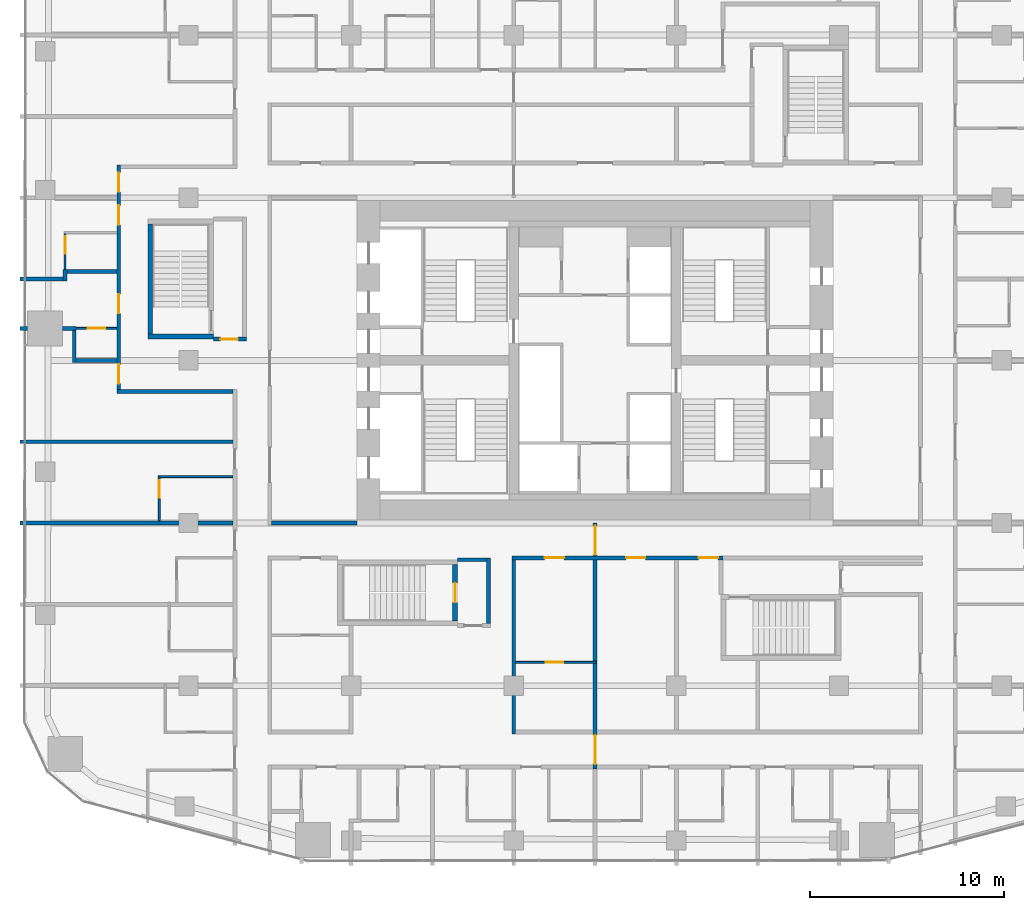
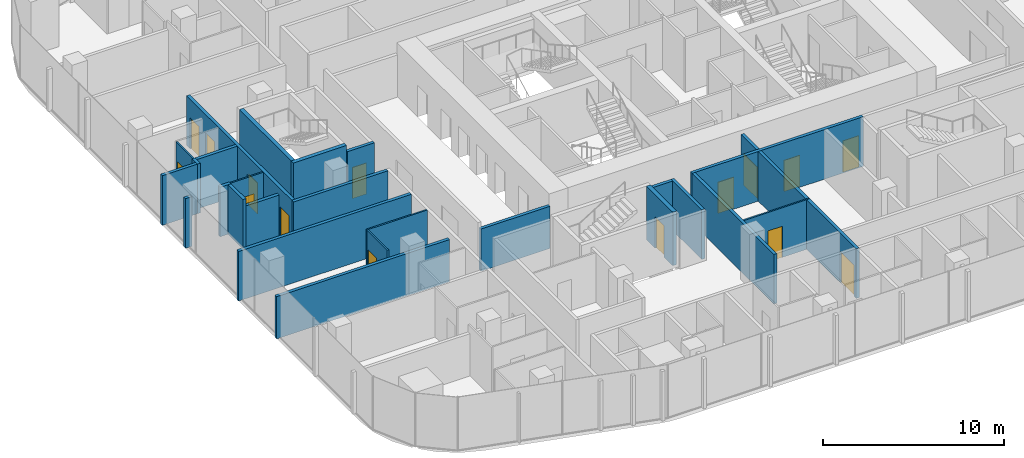
# One storey, part 17 of 26: 26 walls, 15 doors, 15 openings.
"""IFC4 building model written with IfcOpenShell, lengths in metres."""

from ifc_helpers import new_model, si_unit, direction, frame, frame_2d, origin, place, context, subcontext, project, spatial, rectangle, extrude, material, layer, layer_set, type_object, element, fill, save


model = new_model("IFC4")

# Units and contexts
model_context = context("Model", 3, precision=1e-05, world=origin(), true_north=direction((0.0, 1.0)))
body_context = subcontext(model_context, "Body", "Model", "MODEL_VIEW")
ifc_project = project(units=[si_unit("LENGTHUNIT", "METRE"), si_unit("AREAUNIT", "SQUARE_METRE"), si_unit("VOLUMEUNIT", "CUBIC_METRE"), si_unit("PLANEANGLEUNIT", "RADIAN"), si_unit("MASSUNIT", "GRAM", prefix="KILO")], contexts=[model_context])

# Site, building, storey
site_placement = place(None, origin())
site = spatial("IfcSite", under=ifc_project, at=site_placement, CompositionType="ELEMENT")
building_placement = place(site_placement, origin())
building = spatial("IfcBuilding", under=site, at=building_placement, Name="Marenta Gate Hotel Tower", CompositionType="ELEMENT")
storey_placement = place(building_placement, frame((0.0, 0.0, 43.699951171875)))
storey = spatial("IfcBuildingStorey", under=building, at=storey_placement, Name="L08", CompositionType="ELEMENT", Elevation=43.699951171875)

# Wall, openings, doors
ifc_material_1 = material(Name="Concrete blockwork", Category="masonry")
ifc_layer_1 = layer(ifc_material_1, 0.199951171875)
ifc_layer_set_1 = layer_set([ifc_layer_1], Name="Concrete blockwork")
wall_type_1 = type_object("IfcWallType", Name="Compartment wall 200 REI 180", PredefinedType="PARTITIONING", material=ifc_layer_set_1)
wall_1_placement = place(storey_placement, frame((0.0, -12.699951171875, 0.0), z_axis=(0.0, 0.0, 1.0), x_axis=(0.0, 1.0, 0.0)))
wall_1 = element("IfcWall", 1, at=wall_1_placement, inside=storey, type_object=wall_type_1, Name="L08-PTN-W070", PredefinedType="PARTITIONING", context=body_context, shape_type="SweptSolid", body=[
    extrude(rectangle(XDim=12.699951171875, YDim=0.199951171875, at=frame_2d((6.35009765625, 0.0))), origin(), (0.0, 0.0, 1.0), 3.340087890625),
])
opening_1_placement = place(wall_1_placement, frame((11.050048828125, 0.0, 0.0)))
opening_1 = element("IfcOpeningElement", 2, at=opening_1_placement, cuts=wall_1, Name="Opening G02-FD3", PredefinedType="OPENING", context=body_context, shape_type="SweptSolid", body=[
    extrude(rectangle(XDim=1.5, YDim=2.10009765625, at=frame_2d((0.75, 1.050048828125))), frame((0.0, 0.10009765625, 0.0), z_axis=(0.0, -1.0, 0.0), x_axis=(1.0, 0.0, 0.0)), (0.0, 0.0, 1.0), 0.199951171875),
])
opening_2_placement = place(wall_1_placement, frame((0.25, 0.0, 0.0)))
opening_2 = element("IfcOpeningElement", 3, at=opening_2_placement, cuts=wall_1, Name="Opening G02-FD4", PredefinedType="OPENING", context=body_context, shape_type="SweptSolid", body=[
    extrude(rectangle(XDim=1.5, YDim=2.10009765625, at=frame_2d((0.75, 1.050048828125))), frame((0.0, 0.10009765625, 0.0), z_axis=(0.0, -1.0, 0.0), x_axis=(1.0, 0.0, 0.0)), (0.0, 0.0, 1.0), 0.199951171875),
])
ifc_material_2 = material(Name="Hollow steel door set", Category="steel")
door_type_1 = type_object("IfcDoorType", Name="Compartment fire door 1500x2100 EI 60", OperationType="DOUBLE_DOOR_DOUBLE_SWING", PredefinedType="DOOR", material=ifc_material_2)
door_1_placement = place(opening_1_placement, origin())
door_1 = element("IfcDoor", 4, at=door_1_placement, inside=storey, type_object=door_type_1, Name="L08-PD-FD03", OperationType="DOUBLE_DOOR_DOUBLE_SWING", OverallHeight=2.10009765625, OverallWidth=1.5, PredefinedType="DOOR", context=body_context, shape_type="SweptSolid", body=[
    extrude(rectangle(XDim=1.5, YDim=2.10009765625, at=frame_2d((0.75, 1.050048828125))), frame((0.0, 0.02490234375, 0.0), z_axis=(0.0, -1.0, 0.0), x_axis=(1.0, 0.0, 0.0)), (0.0, 0.0, 1.0), 0.050048828125),
])
fill(opening_1, door_1)
door_2_placement = place(opening_2_placement, origin())
door_2 = element("IfcDoor", 5, at=door_2_placement, inside=storey, type_object=door_type_1, Name="L08-PD-FD04", OperationType="DOUBLE_DOOR_DOUBLE_SWING", OverallHeight=2.10009765625, OverallWidth=1.5, PredefinedType="DOOR", context=body_context, shape_type="SweptSolid", body=[
    extrude(rectangle(XDim=1.5, YDim=2.10009765625, at=frame_2d((0.75, 1.050048828125))), frame((0.0, 0.02490234375, 0.0), z_axis=(0.0, -1.0, 0.0), x_axis=(1.0, 0.0, 0.0)), (0.0, 0.0, 1.0), 0.050048828125),
])
fill(opening_2, door_2)

# Wall
ifc_material_3 = material(Name="Concrete blockwork", Category="masonry")
ifc_layer_2 = layer(ifc_material_3, 0.199951171875)
ifc_layer_set_2 = layer_set([ifc_layer_2], Name="Concrete blockwork")
wall_type_2 = type_object("IfcWallType", Name="Core boundary wall 200 REI 180", PredefinedType="PARTITIONING", material=ifc_layer_set_2)
wall_2_placement = place(storey_placement, frame((-16.699951171875, 0.0, 0.0), z_axis=(0.0, 0.0, 1.0), x_axis=(1.0, 0.0, 0.0)))
element("IfcWall", 6, at=wall_2_placement, inside=storey, type_object=wall_type_2, Name="L08-CP-EW-WS", PredefinedType="PARTITIONING", context=body_context, shape_type="SweptSolid", body=[
    extrude(rectangle(XDim=4.39990234375, YDim=0.199951171875, at=frame_2d((2.199951171875, 0.0))), origin(), (0.0, 0.0, 1.0), 2.840087890625),
])

# Wall, opening, door
ifc_material_4 = material(Name="Concrete C40", Category="concrete")
ifc_layer_3 = layer(ifc_material_4, 0.25)
ifc_layer_set_3 = layer_set([ifc_layer_3], Name="Concrete C40")
wall_type_3 = type_object("IfcWallType", Name="Remote stair enclosure wall 250 REI 180", PredefinedType="SHEAR", material=ifc_layer_set_3)
wall_3_placement = place(storey_placement, frame((-7.22509765625, -5.050048828125, 0.10009765625), z_axis=(0.0, 0.0, 1.0), x_axis=(0.0, 1.0, 0.0)))
wall_3 = element("IfcWall", 7, at=wall_3_placement, inside=storey, type_object=wall_type_3, Name="L08-RS-Z1-2-W4", PredefinedType="SHEAR", context=body_context, shape_type="SweptSolid", body=[
    extrude(rectangle(XDim=2.900146484375, YDim=0.25, at=frame_2d((1.4501953125, 0.0))), origin(), (0.0, 0.0, 1.0), 3.599853515625),
])
opening_3_placement = place(wall_3_placement, frame((0.949951171875, 0.0, 0.0)))
opening_3 = element("IfcOpeningElement", 8, at=opening_3_placement, cuts=wall_3, Name="Opening VD", PredefinedType="OPENING", context=body_context, shape_type="SweptSolid", body=[
    extrude(rectangle(XDim=1.0, YDim=2.10009765625, at=frame_2d((0.5, 1.050048828125))), frame((0.0, 0.125, 0.0), z_axis=(0.0, -1.0, 0.0), x_axis=(1.0, 0.0, 0.0)), (0.0, 0.0, 1.0), 0.25),
])
ifc_material_5 = material(Name="Steel", Category="steel")
door_type_2 = type_object("IfcDoorType", Name="Stair vestibule door 1000x2100 FD60", OperationType="SINGLE_SWING_LEFT", PredefinedType="DOOR", material=ifc_material_5)
door_3_placement = place(opening_3_placement, origin())
door_3 = element("IfcDoor", 9, at=door_3_placement, inside=storey, type_object=door_type_2, Name="VD", OperationType="SINGLE_SWING_LEFT", OverallHeight=2.10009765625, OverallWidth=1.0, PredefinedType="DOOR", context=body_context, shape_type="SweptSolid", body=[
    extrude(rectangle(XDim=1.0, YDim=2.10009765625, at=frame_2d((0.5, 1.050048828125))), frame((0.0, 0.02490234375, 0.0), z_axis=(0.0, -1.0, 0.0), x_axis=(1.0, 0.0, 0.0)), (0.0, 0.0, 1.0), 0.050048828125),
])
fill(opening_3, door_3)

# Walls
wall_4_placement = place(storey_placement, frame((-23.10009765625, 9.625, 0.10009765625), z_axis=(0.0, 0.0, 1.0), x_axis=(1.0, 0.0, 0.0)))
element("IfcWall", 10, at=wall_4_placement, inside=storey, type_object=wall_type_3, Name="L08-RS-Z1-3-W1", PredefinedType="SHEAR", context=body_context, shape_type="SweptSolid", body=[
    extrude(rectangle(XDim=3.400146484375, YDim=0.25, at=frame_2d((1.7001953125, 0.0))), origin(), (0.0, 0.0, 1.0), 3.599853515625),
])
wall_5_placement = place(storey_placement, frame((-22.97509765625, 9.75, 0.10009765625), z_axis=(0.0, 0.0, 1.0), x_axis=(0.0, 1.0, 0.0)))
element("IfcWall", 11, at=wall_5_placement, inside=storey, type_object=wall_type_3, Name="L08-RS-Z1-3-W3", PredefinedType="SHEAR", context=body_context, shape_type="SweptSolid", body=[
    extrude(rectangle(XDim=5.699951171875, YDim=0.25, at=frame_2d((2.85009765625, 0.0))), origin(), (0.0, 0.0, 1.0), 3.599853515625),
])

# Wall, openings, doors
ifc_material_6 = material(Name="Concrete blockwork", Category="masonry")
ifc_layer_4 = layer(ifc_material_6, 0.199951171875)
ifc_layer_set_4 = layer_set([ifc_layer_4], Name="Concrete blockwork")
wall_type_4 = type_object("IfcWallType", Name="Room corridor wall 200 EI 120", PredefinedType="PARTITIONING", material=ifc_layer_set_4)
wall_6_placement = place(storey_placement, frame((-4.300048828125, -1.800048828125, 0.0), z_axis=(0.0, 0.0, 1.0), x_axis=(1.0, 0.0, 0.0)))
wall_6 = element("IfcWall", 12, at=wall_6_placement, inside=storey, type_object=wall_type_4, Name="L08-PTN-W067", PredefinedType="PARTITIONING", context=body_context, shape_type="SweptSolid", body=[
    extrude(rectangle(XDim=10.900146484375, YDim=0.199951171875, at=frame_2d((5.4501953125, 0.0))), origin(), (0.0, 0.0, 1.0), 3.340087890625),
])
opening_4_placement = place(wall_6_placement, frame((1.699951171875, 0.0, 0.0)))
opening_4 = element("IfcOpeningElement", 13, at=opening_4_placement, cuts=wall_6, Name="Opening G02-08", PredefinedType="OPENING", context=body_context, shape_type="SweptSolid", body=[
    extrude(rectangle(XDim=1.0, YDim=2.10009765625, at=frame_2d((0.5, 1.050048828125))), frame((0.0, 0.10009765625, 0.0), z_axis=(0.0, -1.0, 0.0), x_axis=(1.0, 0.0, 0.0)), (0.0, 0.0, 1.0), 0.199951171875),
])
opening_5_placement = place(wall_6_placement, frame((5.89990234375, 0.0, 0.0)))
opening_5 = element("IfcOpeningElement", 14, at=opening_5_placement, cuts=wall_6, Name="Opening G02-10", PredefinedType="OPENING", context=body_context, shape_type="SweptSolid", body=[
    extrude(rectangle(XDim=1.0, YDim=2.10009765625, at=frame_2d((0.5, 1.050048828125))), frame((0.0, 0.10009765625, 0.0), z_axis=(0.0, -1.0, 0.0), x_axis=(1.0, 0.0, 0.0)), (0.0, 0.0, 1.0), 0.199951171875),
])
opening_6_placement = place(wall_6_placement, frame((9.64990234375, 0.0, 0.0)))
opening_6 = element("IfcOpeningElement", 15, at=opening_6_placement, cuts=wall_6, Name="Opening G02-11", PredefinedType="OPENING", context=body_context, shape_type="SweptSolid", body=[
    extrude(rectangle(XDim=1.0, YDim=2.10009765625, at=frame_2d((0.5, 1.050048828125))), frame((0.0, 0.10009765625, 0.0), z_axis=(0.0, -1.0, 0.0), x_axis=(1.0, 0.0, 0.0)), (0.0, 0.0, 1.0), 0.199951171875),
])
ifc_material_7 = material(Name="Timber door leaf", Category="wood")
door_type_3 = type_object("IfcDoorType", Name="Room amenity door 1000x2100 EI 60", OperationType="NOTDEFINED", PredefinedType="DOOR", material=ifc_material_7)
door_4_placement = place(opening_5_placement, origin())
door_4 = element("IfcDoor", 16, at=door_4_placement, inside=storey, type_object=door_type_3, Name="L08-PD-D010", OperationType="SINGLE_SWING_RIGHT", OverallHeight=2.10009765625, OverallWidth=1.0, PredefinedType="DOOR", context=body_context, shape_type="SweptSolid", body=[
    extrude(rectangle(XDim=1.0, YDim=2.10009765625, at=frame_2d((0.5, 1.050048828125))), frame((0.0, 0.02490234375, 0.0), z_axis=(0.0, -1.0, 0.0), x_axis=(1.0, 0.0, 0.0)), (0.0, 0.0, 1.0), 0.050048828125),
])
fill(opening_5, door_4)
door_5_placement = place(opening_6_placement, origin())
door_5 = element("IfcDoor", 17, at=door_5_placement, inside=storey, type_object=door_type_3, Name="L08-PD-D011", OperationType="SINGLE_SWING_LEFT", OverallHeight=2.10009765625, OverallWidth=1.0, PredefinedType="DOOR", context=body_context, shape_type="SweptSolid", body=[
    extrude(rectangle(XDim=1.0, YDim=2.10009765625, at=frame_2d((0.5, 1.050048828125))), frame((0.0, 0.02490234375, 0.0), z_axis=(0.0, -1.0, 0.0), x_axis=(1.0, 0.0, 0.0)), (0.0, 0.0, 1.0), 0.050048828125),
])
fill(opening_6, door_5)
ifc_material_8 = material(Name="Hollow steel door set", Category="steel")
door_type_4 = type_object("IfcDoorType", Name="Room service door 1000x2100 EI 60", OperationType="NOTDEFINED", PredefinedType="DOOR", material=ifc_material_8)
door_6_placement = place(opening_4_placement, origin())
door_6 = element("IfcDoor", 18, at=door_6_placement, inside=storey, type_object=door_type_4, Name="L08-PD-D008", OperationType="SINGLE_SWING_RIGHT", OverallHeight=2.10009765625, OverallWidth=1.0, PredefinedType="DOOR", context=body_context, shape_type="SweptSolid", body=[
    extrude(rectangle(XDim=1.0, YDim=2.10009765625, at=frame_2d((0.5, 1.050048828125))), frame((0.0, 0.02490234375, 0.0), z_axis=(0.0, -1.0, 0.0), x_axis=(1.0, 0.0, 0.0)), (0.0, 0.0, 1.0), 0.050048828125),
])
fill(opening_4, door_6)

# Walls
wall_7_placement = place(storey_placement, frame((-4.199951171875, -10.89990234375, 0.0), z_axis=(0.0, 0.0, 1.0), x_axis=(0.0, 1.0, 0.0)))
element("IfcWall", 19, at=wall_7_placement, inside=storey, type_object=wall_type_4, Name="L08-PTN-W080", PredefinedType="PARTITIONING", context=body_context, shape_type="SweptSolid", body=[
    extrude(rectangle(XDim=9.0, YDim=0.199951171875, at=frame_2d((4.5, 0.0))), origin(), (0.0, 0.0, 1.0), 3.340087890625),
])
ifc_material_9 = material(Name="Gypsum board on steel stud", Category="steel")
ifc_layer_5 = layer(ifc_material_9, 0.199951171875)
ifc_layer_set_5 = layer_set([ifc_layer_5], Name="Gypsum board on steel stud")
wall_type_5 = type_object("IfcWallType", Name="Room corridor wall 200 EI 60", PredefinedType="PARTITIONING", material=ifc_layer_set_5)
wall_8_placement = place(storey_placement, frame((-24.699951171875, 6.800048828125, 0.0), z_axis=(0.0, 0.0, 1.0), x_axis=(1.0, 0.0, 0.0)))
element("IfcWall", 20, at=wall_8_placement, inside=storey, type_object=wall_type_5, Name="L08-PTN-W085", PredefinedType="PARTITIONING", context=body_context, shape_type="SweptSolid", body=[
    extrude(rectangle(XDim=6.0, YDim=0.199951171875, at=frame_2d((3.0, 0.0))), origin(), (0.0, 0.0, 1.0), 3.340087890625),
])

# Wall, openings, doors
wall_9_placement = place(storey_placement, frame((-24.60009765625, 6.89990234375, 0.0), z_axis=(0.0, 0.0, 1.0), x_axis=(0.0, 1.0, 0.0)))
wall_9 = element("IfcWall", 21, at=wall_9_placement, inside=storey, type_object=wall_type_5, Name="L08-PTN-W139", PredefinedType="PARTITIONING", context=body_context, shape_type="SweptSolid", body=[
    extrude(rectangle(XDim=11.60009765625, YDim=0.199951171875, at=frame_2d((5.800048828125, 0.0))), origin(), (0.0, 0.0, 1.0), 3.340087890625),
])
opening_7_placement = place(wall_9_placement, frame((8.5, 0.0, 0.0)))
opening_7 = element("IfcOpeningElement", 22, at=opening_7_placement, cuts=wall_9, Name="Opening G02-61", PredefinedType="OPENING", context=body_context, shape_type="SweptSolid", body=[
    extrude(rectangle(XDim=1.0, YDim=2.10009765625, at=frame_2d((0.5, 1.050048828125))), frame((0.0, 0.10009765625, 0.0), z_axis=(0.0, -1.0, 0.0), x_axis=(1.0, 0.0, 0.0)), (0.0, 0.0, 1.0), 0.199951171875),
])
opening_8_placement = place(wall_9_placement, frame((10.199951171875, 0.0, 0.0)))
opening_8 = element("IfcOpeningElement", 23, at=opening_8_placement, cuts=wall_9, Name="Opening G02-74", PredefinedType="OPENING", context=body_context, shape_type="SweptSolid", body=[
    extrude(rectangle(XDim=1.0, YDim=2.10009765625, at=frame_2d((0.5, 1.050048828125))), frame((0.0, 0.10009765625, 0.0), z_axis=(0.0, -1.0, 0.0), x_axis=(1.0, 0.0, 0.0)), (0.0, 0.0, 1.0), 0.199951171875),
])
opening_9_placement = place(wall_9_placement, frame((0.300048828125, 0.0, 0.0)))
opening_9 = element("IfcOpeningElement", 24, at=opening_9_placement, cuts=wall_9, Name="Opening G02-75", PredefinedType="OPENING", context=body_context, shape_type="SweptSolid", body=[
    extrude(rectangle(XDim=1.0, YDim=2.10009765625, at=frame_2d((0.5, 1.050048828125))), frame((0.0, 0.10009765625, 0.0), z_axis=(0.0, -1.0, 0.0), x_axis=(1.0, 0.0, 0.0)), (0.0, 0.0, 1.0), 0.199951171875),
])
opening_10_placement = place(wall_9_placement, frame((3.925048828125, 0.0, 0.0)))
opening_10 = element("IfcOpeningElement", 25, at=opening_10_placement, cuts=wall_9, Name="Opening G02-82", PredefinedType="OPENING", context=body_context, shape_type="SweptSolid", body=[
    extrude(rectangle(XDim=1.0, YDim=2.10009765625, at=frame_2d((0.5, 1.050048828125))), frame((0.0, 0.10009765625, 0.0), z_axis=(0.0, -1.0, 0.0), x_axis=(1.0, 0.0, 0.0)), (0.0, 0.0, 1.0), 0.199951171875),
])
ifc_material_10 = material(Name="Timber door leaf", Category="wood")
door_type_5 = type_object("IfcDoorType", Name="Guest room door 1000x2100 EI 30", OperationType="NOTDEFINED", PredefinedType="DOOR", material=ifc_material_10)
door_7_placement = place(opening_7_placement, origin())
door_7 = element("IfcDoor", 26, at=door_7_placement, inside=storey, type_object=door_type_5, Name="L08-PD-D061", OperationType="SINGLE_SWING_RIGHT", OverallHeight=2.10009765625, OverallWidth=1.0, PredefinedType="DOOR", context=body_context, shape_type="SweptSolid", body=[
    extrude(rectangle(XDim=1.0, YDim=2.10009765625, at=frame_2d((0.5, 1.050048828125))), frame((0.0, 0.02490234375, 0.0), z_axis=(0.0, -1.0, 0.0), x_axis=(1.0, 0.0, 0.0)), (0.0, 0.0, 1.0), 0.050048828125),
])
fill(opening_7, door_7)
door_8_placement = place(opening_10_placement, origin())
door_8 = element("IfcDoor", 27, at=door_8_placement, inside=storey, type_object=door_type_5, Name="L08-PD-D082", OperationType="SINGLE_SWING_LEFT", OverallHeight=2.10009765625, OverallWidth=1.0, PredefinedType="DOOR", context=body_context, shape_type="SweptSolid", body=[
    extrude(rectangle(XDim=1.0, YDim=2.10009765625, at=frame_2d((0.5, 1.050048828125))), frame((0.0, 0.02490234375, 0.0), z_axis=(0.0, -1.0, 0.0), x_axis=(1.0, 0.0, 0.0)), (0.0, 0.0, 1.0), 0.050048828125),
])
fill(opening_10, door_8)
ifc_material_11 = material(Name="Timber door leaf", Category="wood")
door_type_6 = type_object("IfcDoorType", Name="Room amenity door 1000x2100 EI 30", OperationType="NOTDEFINED", PredefinedType="DOOR", material=ifc_material_11)
door_9_placement = place(opening_8_placement, origin())
door_9 = element("IfcDoor", 28, at=door_9_placement, inside=storey, type_object=door_type_6, Name="L08-PD-D074", OperationType="SINGLE_SWING_RIGHT", OverallHeight=2.10009765625, OverallWidth=1.0, PredefinedType="DOOR", context=body_context, shape_type="SweptSolid", body=[
    extrude(rectangle(XDim=1.0, YDim=2.10009765625, at=frame_2d((0.5, 1.050048828125))), frame((0.0, 0.02490234375, 0.0), z_axis=(0.0, -1.0, 0.0), x_axis=(1.0, 0.0, 0.0)), (0.0, 0.0, 1.0), 0.050048828125),
])
fill(opening_8, door_9)
door_10_placement = place(opening_9_placement, origin())
door_10 = element("IfcDoor", 29, at=door_10_placement, inside=storey, type_object=door_type_6, Name="L08-PD-D075", OperationType="SINGLE_SWING_LEFT", OverallHeight=2.10009765625, OverallWidth=1.0, PredefinedType="DOOR", context=body_context, shape_type="SweptSolid", body=[
    extrude(rectangle(XDim=1.0, YDim=2.10009765625, at=frame_2d((0.5, 1.050048828125))), frame((0.0, 0.02490234375, 0.0), z_axis=(0.0, -1.0, 0.0), x_axis=(1.0, 0.0, 0.0)), (0.0, 0.0, 1.0), 0.050048828125),
])
fill(opening_9, door_10)

# Walls
ifc_material_12 = material(Name="Concrete blockwork", Category="masonry")
ifc_layer_6 = layer(ifc_material_12, 0.199951171875)
ifc_layer_set_6 = layer_set([ifc_layer_6], Name="Concrete blockwork")
wall_type_6 = type_object("IfcWallType", Name="Room corridor wall 200 REI 180", PredefinedType="PARTITIONING", material=ifc_layer_set_6)
wall_10_placement = place(storey_placement, frame((-7.10009765625, -1.89990234375, 0.0), z_axis=(0.0, 0.0, 1.0), x_axis=(1.0, 0.0, 0.0)))
element("IfcWall", 30, at=wall_10_placement, inside=storey, type_object=wall_type_6, Name="L08-PTN-W064", PredefinedType="PARTITIONING", context=body_context, shape_type="SweptSolid", body=[
    extrude(rectangle(XDim=1.5, YDim=0.199951171875, at=frame_2d((0.75, 0.0))), origin(), (0.0, 0.0, 1.0), 3.340087890625),
])
wall_11_placement = place(storey_placement, frame((-5.5, -5.199951171875, 0.0), z_axis=(0.0, 0.0, 1.0), x_axis=(0.0, 1.0, 0.0)))
element("IfcWall", 31, at=wall_11_placement, inside=storey, type_object=wall_type_6, Name="L08-PTN-W082", PredefinedType="PARTITIONING", context=body_context, shape_type="SweptSolid", body=[
    extrude(rectangle(XDim=3.39990234375, YDim=0.199951171875, at=frame_2d((1.699951171875, 0.0))), origin(), (0.0, 0.0, 1.0), 3.340087890625),
])

# Wall, opening, door
wall_12_placement = place(storey_placement, frame((-19.699951171875, 9.5, 0.0), z_axis=(0.0, 0.0, 1.0), x_axis=(1.0, 0.0, 0.0)))
wall_12 = element("IfcWall", 32, at=wall_12_placement, inside=storey, type_object=wall_type_6, Name="L08-PTN-W090", PredefinedType="PARTITIONING", context=body_context, shape_type="SweptSolid", body=[
    extrude(rectangle(XDim=1.699951171875, YDim=0.199951171875, at=frame_2d((0.85009765625, 0.0))), origin(), (0.0, 0.0, 1.0), 3.340087890625),
])
opening_11_placement = place(wall_12_placement, frame((0.35009765625, 0.0, 0.0)))
opening_11 = element("IfcOpeningElement", 33, at=opening_11_placement, cuts=wall_12, Name="Opening G02-70", PredefinedType="OPENING", context=body_context, shape_type="SweptSolid", body=[
    extrude(rectangle(XDim=0.89990234375, YDim=2.10009765625, at=frame_2d((0.449951171875, 1.050048828125))), frame((0.0, 0.10009765625, 0.0), z_axis=(0.0, -1.0, 0.0), x_axis=(1.0, 0.0, 0.0)), (0.0, 0.0, 1.0), 0.199951171875),
])
ifc_material_13 = material(Name="Hollow steel door set", Category="steel")
door_type_7 = type_object("IfcDoorType", Name="Stair vestibule door 900x2100 EI 60", OperationType="NOTDEFINED", PredefinedType="DOOR", material=ifc_material_13)
door_11_placement = place(opening_11_placement, origin())
door_11 = element("IfcDoor", 34, at=door_11_placement, inside=storey, type_object=door_type_7, Name="L08-PD-D070", OperationType="SINGLE_SWING_RIGHT", OverallHeight=2.10009765625, OverallWidth=0.89990234375, PredefinedType="DOOR", context=body_context, shape_type="SweptSolid", body=[
    extrude(rectangle(XDim=0.89990234375, YDim=2.10009765625, at=frame_2d((0.449951171875, 1.050048828125))), frame((0.0, 0.02490234375, 0.0), z_axis=(0.0, -1.0, 0.0), x_axis=(1.0, 0.0, 0.0)), (0.0, 0.0, 1.0), 0.050048828125),
])
fill(opening_11, door_11)

ifc_material_14 = material(Name="Gypsum board on steel stud", Category="steel")
ifc_layer_7 = layer(ifc_material_14, 0.10009765625)
ifc_layer_set_7 = layer_set([ifc_layer_7], Name="Gypsum board on steel stud")
wall_type_7 = type_object("IfcWallType", Name="Room partition 100", PredefinedType="PARTITIONING", material=ifc_layer_set_7)
wall_13_placement = place(storey_placement, frame((-4.10009765625, -7.199951171875, 0.0), z_axis=(0.0, 0.0, 1.0), x_axis=(1.0, 0.0, 0.0)))
wall_13 = element("IfcWall", 35, at=wall_13_placement, inside=storey, type_object=wall_type_7, Name="L08-PTN-W047", PredefinedType="PARTITIONING", context=body_context, shape_type="SweptSolid", body=[
    extrude(rectangle(XDim=4.2001953125, YDim=0.10009765625, at=frame_2d((2.10009765625, 0.0))), origin(), (0.0, 0.0, 1.0), 3.340087890625),
])
opening_12_placement = place(wall_13_placement, frame((1.550048828125, 0.0, 0.0)))
opening_12 = element("IfcOpeningElement", 36, at=opening_12_placement, cuts=wall_13, Name="Opening G02-09", PredefinedType="OPENING", context=body_context, shape_type="SweptSolid", body=[
    extrude(rectangle(XDim=0.89990234375, YDim=2.10009765625, at=frame_2d((0.449951171875, 1.050048828125))), frame((0.0, 0.050048828125, 0.0), z_axis=(0.0, -1.0, 0.0), x_axis=(1.0, 0.0, 0.0)), (0.0, 0.0, 1.0), 0.10009765625),
])
ifc_material_15 = material(Name="Timber door leaf", Category="wood")
door_type_8 = type_object("IfcDoorType", Name="Room inner door 900x2100", OperationType="NOTDEFINED", PredefinedType="DOOR", material=ifc_material_15)
door_12_placement = place(opening_12_placement, origin())
door_12 = element("IfcDoor", 37, at=door_12_placement, inside=storey, type_object=door_type_8, Name="L08-PD-D009", OperationType="SINGLE_SWING_RIGHT", OverallHeight=2.10009765625, OverallWidth=0.89990234375, PredefinedType="DOOR", context=body_context, shape_type="SweptSolid", body=[
    extrude(rectangle(XDim=0.89990234375, YDim=2.10009765625, at=frame_2d((0.449951171875, 1.050048828125))), frame((0.0, 0.02490234375, 0.0), z_axis=(0.0, -1.0, 0.0), x_axis=(1.0, 0.0, 0.0)), (0.0, 0.0, 1.0), 0.050048828125),
])
fill(opening_12, door_12)

# Wall
wall_14_placement = place(storey_placement, frame((-22.550048828125, 2.39990234375, 0.0), z_axis=(0.0, 0.0, 1.0), x_axis=(1.0, 0.0, 0.0)))
element("IfcWall", 38, at=wall_14_placement, inside=storey, type_object=wall_type_7, Name="L08-PTN-W076", PredefinedType="PARTITIONING", context=body_context, shape_type="SweptSolid", body=[
    extrude(rectangle(XDim=3.85009765625, YDim=0.10009765625, at=frame_2d((1.925048828125, 0.0))), origin(), (0.0, 0.0, 1.0), 3.340087890625),
])

# Wall, opening, door
wall_15_placement = place(storey_placement, frame((-27.0, 10.050048828125, 0.0), z_axis=(0.0, 0.0, 1.0), x_axis=(1.0, 0.0, 0.0)))
wall_15 = element("IfcWall", 39, at=wall_15_placement, inside=storey, type_object=wall_type_7, Name="L08-PTN-W092", PredefinedType="PARTITIONING", context=body_context, shape_type="SweptSolid", body=[
    extrude(rectangle(XDim=2.300048828125, YDim=0.10009765625, at=frame_2d((1.14990234375, 0.0))), origin(), (0.0, 0.0, 1.0), 3.340087890625),
])
opening_13_placement = place(wall_15_placement, frame((0.800048828125, 0.0, 0.0)))
opening_13 = element("IfcOpeningElement", 40, at=opening_13_placement, cuts=wall_15, Name="Opening G02-83", PredefinedType="OPENING", context=body_context, shape_type="SweptSolid", body=[
    extrude(rectangle(XDim=0.89990234375, YDim=2.10009765625, at=frame_2d((0.449951171875, 1.050048828125))), frame((0.0, 0.050048828125, 0.0), z_axis=(0.0, -1.0, 0.0), x_axis=(1.0, 0.0, 0.0)), (0.0, 0.0, 1.0), 0.10009765625),
])
ifc_material_16 = material(Name="Timber door leaf", Category="wood")
door_type_9 = type_object("IfcDoorType", Name="Guest bathroom door 900x2100", OperationType="NOTDEFINED", PredefinedType="DOOR", material=ifc_material_16)
door_13_placement = place(opening_13_placement, origin())
door_13 = element("IfcDoor", 41, at=door_13_placement, inside=storey, type_object=door_type_9, Name="L08-PD-D083", OperationType="SINGLE_SWING_LEFT", OverallHeight=2.10009765625, OverallWidth=0.89990234375, PredefinedType="DOOR", context=body_context, shape_type="SweptSolid", body=[
    extrude(rectangle(XDim=0.89990234375, YDim=2.10009765625, at=frame_2d((0.449951171875, 1.050048828125))), frame((0.0, 0.02490234375, 0.0), z_axis=(0.0, -1.0, 0.0), x_axis=(1.0, 0.0, 0.0)), (0.0, 0.0, 1.0), 0.050048828125),
])
fill(opening_13, door_13)

wall_16_placement = place(storey_placement, frame((-22.5, 0.10009765625, 0.0), z_axis=(0.0, 0.0, 1.0), x_axis=(0.0, 1.0, 0.0)))
wall_16 = element("IfcWall", 42, at=wall_16_placement, inside=storey, type_object=wall_type_7, Name="L08-PTN-W132", PredefinedType="PARTITIONING", context=body_context, shape_type="SweptSolid", body=[
    extrude(rectangle(XDim=2.25, YDim=0.10009765625, at=frame_2d((1.125, 0.0))), origin(), (0.0, 0.0, 1.0), 3.340087890625),
])
opening_14_placement = place(wall_16_placement, frame((1.199951171875, 0.0, 0.0)))
opening_14 = element("IfcOpeningElement", 43, at=opening_14_placement, cuts=wall_16, Name="Opening G02-60", PredefinedType="OPENING", context=body_context, shape_type="SweptSolid", body=[
    extrude(rectangle(XDim=0.89990234375, YDim=2.10009765625, at=frame_2d((0.449951171875, 1.050048828125))), frame((0.0, 0.050048828125, 0.0), z_axis=(0.0, -1.0, 0.0), x_axis=(1.0, 0.0, 0.0)), (0.0, 0.0, 1.0), 0.10009765625),
])
door_14_placement = place(opening_14_placement, origin())
door_14 = element("IfcDoor", 44, at=door_14_placement, inside=storey, type_object=door_type_9, Name="L08-PD-D060", OperationType="SINGLE_SWING_LEFT", OverallHeight=2.10009765625, OverallWidth=0.89990234375, PredefinedType="DOOR", context=body_context, shape_type="SweptSolid", body=[
    extrude(rectangle(XDim=0.89990234375, YDim=2.10009765625, at=frame_2d((0.449951171875, 1.050048828125))), frame((0.0, 0.02490234375, 0.0), z_axis=(0.0, -1.0, 0.0), x_axis=(1.0, 0.0, 0.0)), (0.0, 0.0, 1.0), 0.050048828125),
])
fill(opening_14, door_14)

wall_17_placement = place(storey_placement, frame((-27.375, 13.10009765625, 0.0), z_axis=(0.0, 0.0, 1.0), x_axis=(0.0, 1.0, 0.0)))
wall_17 = element("IfcWall", 45, at=wall_17_placement, inside=storey, type_object=wall_type_7, Name="L08-PTN-W151", PredefinedType="PARTITIONING", context=body_context, shape_type="SweptSolid", body=[
    extrude(rectangle(XDim=1.849853515625, YDim=0.10009765625, at=frame_2d((0.9248046875, 0.0))), origin(), (0.0, 0.0, 1.0), 3.340087890625),
])
opening_15_placement = place(wall_17_placement, frame((0.800048828125, 0.0, 0.0)))
opening_15 = element("IfcOpeningElement", 46, at=opening_15_placement, cuts=wall_17, Name="Opening G02-62", PredefinedType="OPENING", context=body_context, shape_type="SweptSolid", body=[
    extrude(rectangle(XDim=0.89990234375, YDim=2.10009765625, at=frame_2d((0.449951171875, 1.050048828125))), frame((0.0, 0.050048828125, 0.0), z_axis=(0.0, -1.0, 0.0), x_axis=(1.0, 0.0, 0.0)), (0.0, 0.0, 1.0), 0.10009765625),
])
door_15_placement = place(opening_15_placement, origin())
door_15 = element("IfcDoor", 47, at=door_15_placement, inside=storey, type_object=door_type_9, Name="L08-PD-D062", OperationType="SINGLE_SWING_LEFT", OverallHeight=2.10009765625, OverallWidth=0.89990234375, PredefinedType="DOOR", context=body_context, shape_type="SweptSolid", body=[
    extrude(rectangle(XDim=0.89990234375, YDim=2.10009765625, at=frame_2d((0.449951171875, 1.050048828125))), frame((0.0, 0.02490234375, 0.0), z_axis=(0.0, -1.0, 0.0), x_axis=(1.0, 0.0, 0.0)), (0.0, 0.0, 1.0), 0.050048828125),
])
fill(opening_15, door_15)

# Walls
ifc_material_17 = material(Name="Gypsum board on steel stud", Category="steel")
ifc_layer_8 = layer(ifc_material_17, 0.199951171875)
ifc_layer_set_8 = layer_set([ifc_layer_8], Name="Gypsum board on steel stud")
wall_type_8 = type_object("IfcWallType", Name="Room party wall 200 EI 60", PredefinedType="PARTITIONING", material=ifc_layer_set_8)
wall_18_placement = place(storey_placement, frame((-29.699951171875, 0.0, 0.0), z_axis=(0.0, 0.0, 1.0), x_axis=(1.0, 0.0, 0.0)))
element("IfcWall", 48, at=wall_18_placement, inside=storey, type_object=wall_type_8, Name="L08-PTN-W072", PredefinedType="PARTITIONING", context=body_context, shape_type="SweptSolid", body=[
    extrude(rectangle(XDim=11.0, YDim=0.199951171875, at=frame_2d((5.5, 0.0))), origin(), (0.0, 0.0, 1.0), 2.840087890625),
])
wall_19_placement = place(storey_placement, frame((-29.699951171875, 4.199951171875, 0.0), z_axis=(0.0, 0.0, 1.0), x_axis=(1.0, 0.0, 0.0)))
element("IfcWall", 49, at=wall_19_placement, inside=storey, type_object=wall_type_8, Name="L08-PTN-W081", PredefinedType="PARTITIONING", context=body_context, shape_type="SweptSolid", body=[
    extrude(rectangle(XDim=11.0, YDim=0.199951171875, at=frame_2d((5.5, 0.0))), origin(), (0.0, 0.0, 1.0), 3.340087890625),
])
wall_20_placement = place(storey_placement, frame((-26.800048828125, 8.39990234375, 0.0), z_axis=(0.0, 0.0, 1.0), x_axis=(1.0, 0.0, 0.0)))
element("IfcWall", 50, at=wall_20_placement, inside=storey, type_object=wall_type_8, Name="L08-PTN-W088", PredefinedType="PARTITIONING", context=body_context, shape_type="SweptSolid", body=[
    extrude(rectangle(XDim=2.10009765625, YDim=0.199951171875, at=frame_2d((1.050048828125, 0.0))), origin(), (0.0, 0.0, 1.0), 2.840087890625),
])
wall_21_placement = place(storey_placement, frame((-29.699951171875, 10.050048828125, 0.0), z_axis=(0.0, 0.0, 1.0), x_axis=(1.0, 0.0, 0.0)))
element("IfcWall", 51, at=wall_21_placement, inside=storey, type_object=wall_type_8, Name="L08-PTN-W091", PredefinedType="PARTITIONING", context=body_context, shape_type="SweptSolid", body=[
    extrude(rectangle(XDim=0.39990234375, YDim=0.199951171875, at=frame_2d((0.199951171875, 0.0))), origin(), (0.0, 0.0, 1.0), 3.340087890625),
])
wall_22_placement = place(storey_placement, frame((-27.5, 10.050048828125, 0.0), z_axis=(0.0, 0.0, 1.0), x_axis=(1.0, 0.0, 0.0)))
element("IfcWall", 52, at=wall_22_placement, inside=storey, type_object=wall_type_8, Name="L08-PTN-W157", PredefinedType="PARTITIONING", context=body_context, shape_type="SweptSolid", body=[
    extrude(rectangle(XDim=0.699951171875, YDim=0.199951171875, at=frame_2d((0.35009765625, 0.0))), origin(), (0.0, 0.0, 1.0), 3.340087890625),
])
wall_23_placement = place(storey_placement, frame((-29.699951171875, 12.60009765625, 0.0), z_axis=(0.0, 0.0, 1.0), x_axis=(1.0, 0.0, 0.0)))
element("IfcWall", 53, at=wall_23_placement, inside=storey, type_object=wall_type_8, Name="L08-PTN-W101", PredefinedType="PARTITIONING", context=body_context, shape_type="SweptSolid", body=[
    extrude(rectangle(XDim=2.224853515625, YDim=0.199951171875, at=frame_2d((1.1123046875, 0.0))), origin(), (0.0, 0.0, 1.0), 3.340087890625),
])
wall_24_placement = place(storey_placement, frame((-27.27490234375, 13.0, 0.0), z_axis=(0.0, 0.0, 1.0), x_axis=(1.0, 0.0, 0.0)))
element("IfcWall", 54, at=wall_24_placement, inside=storey, type_object=wall_type_8, Name="L08-PTN-W103", PredefinedType="PARTITIONING", context=body_context, shape_type="SweptSolid", body=[
    extrude(rectangle(XDim=2.574951171875, YDim=0.199951171875, at=frame_2d((1.28759765625, 0.0))), origin(), (0.0, 0.0, 1.0), 3.340087890625),
])
wall_25_placement = place(storey_placement, frame((-26.89990234375, 8.300048828125, 0.0), z_axis=(0.0, 0.0, 1.0), x_axis=(0.0, 1.0, 0.0)))
element("IfcWall", 55, at=wall_25_placement, inside=storey, type_object=wall_type_8, Name="L08-PTN-W146", PredefinedType="PARTITIONING", context=body_context, shape_type="SweptSolid", body=[
    extrude(rectangle(XDim=1.699951171875, YDim=0.199951171875, at=frame_2d((0.85009765625, 0.0))), origin(), (0.0, 0.0, 1.0), 3.340087890625),
])
wall_26_placement = place(storey_placement, frame((-27.375, 12.5, 0.0), z_axis=(0.0, 0.0, 1.0), x_axis=(0.0, 1.0, 0.0)))
element("IfcWall", 56, at=wall_26_placement, inside=storey, type_object=wall_type_8, Name="L08-PTN-W150", PredefinedType="PARTITIONING", context=body_context, shape_type="SweptSolid", body=[
    extrude(rectangle(XDim=0.60009765625, YDim=0.199951171875, at=frame_2d((0.300048828125, 0.0))), origin(), (0.0, 0.0, 1.0), 3.340087890625),
])

save(model, "model.ifc")
